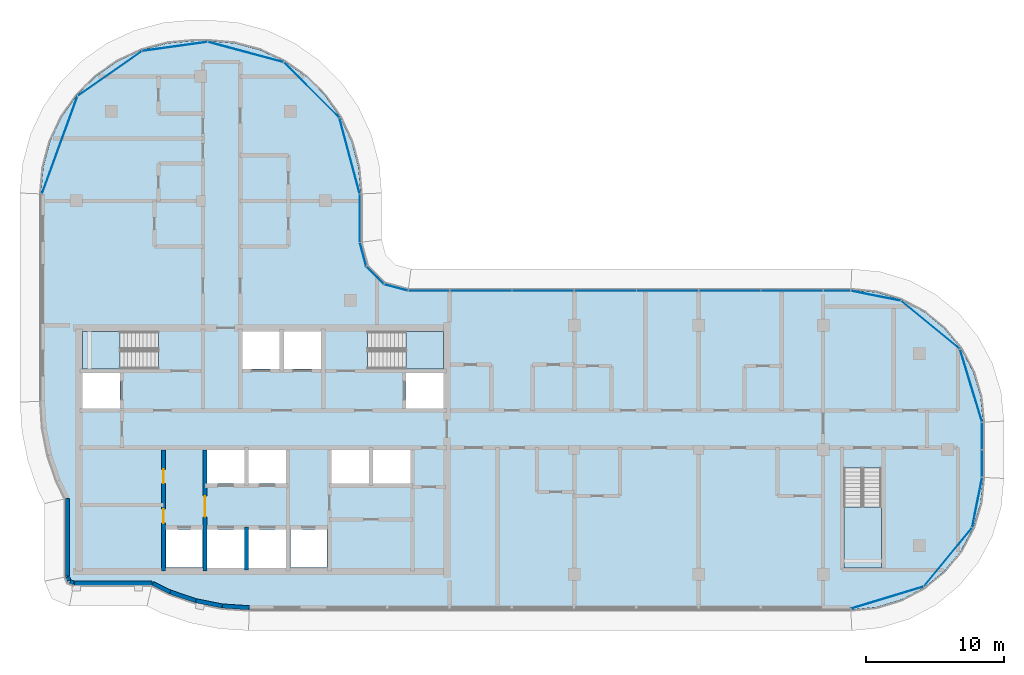
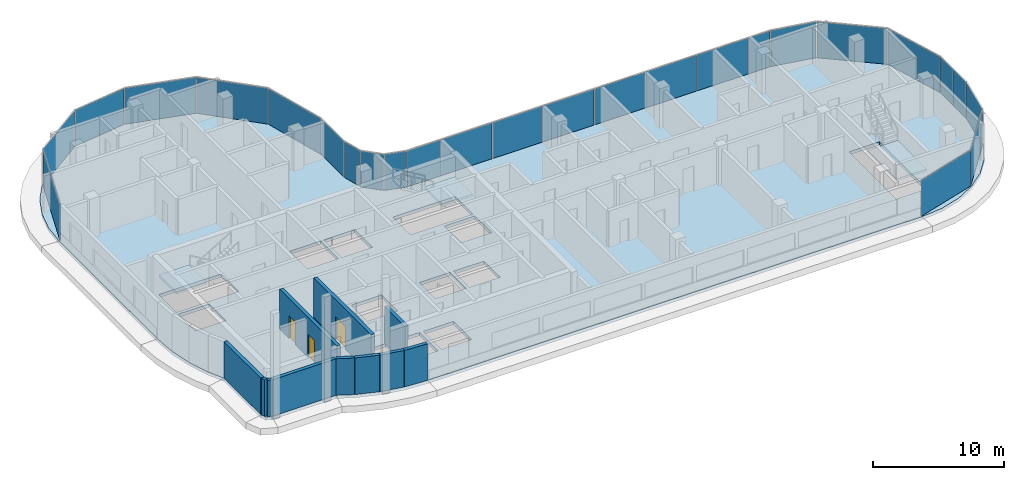
# One storey, part 8 of 20: 26 plates, 11 walls, 4 slabs, 3 doors, 3 openings, 10 elements without a shape of their own.
"""IFC4 building model written with IfcOpenShell, lengths in metres."""

from ifc_helpers import new_model, si_unit, direction, frame, frame_2d, origin, origin_2d, place, context, subcontext, project, spatial, polyline, rectangle, outline, extrude, material, layer, layer_set, type_object, element, fill, aggregate, save


model = new_model("IFC4")

# Units and contexts
model_context = context("Model", 3, precision=1e-05, world=origin(), true_north=direction((0.0, 1.0)))
body_context = subcontext(model_context, "Body", "Model", "MODEL_VIEW")
ifc_project = project(units=[si_unit("LENGTHUNIT", "METRE"), si_unit("AREAUNIT", "SQUARE_METRE"), si_unit("VOLUMEUNIT", "CUBIC_METRE"), si_unit("PLANEANGLEUNIT", "RADIAN"), si_unit("MASSUNIT", "GRAM", prefix="KILO")], contexts=[model_context])

# Site, building, storey
site_placement = place(None, origin())
site = spatial("IfcSite", under=ifc_project, at=site_placement, CompositionType="ELEMENT")
building_placement = place(site_placement, origin())
building = spatial("IfcBuilding", under=site, at=building_placement, Name="Ogive Portal Towers", CompositionType="ELEMENT")
storey_placement = place(building_placement, frame((0.0, 0.0, 232.800048828125)))
storey = spatial("IfcBuildingStorey", under=building, at=storey_placement, Name="L58", CompositionType="ELEMENT", Elevation=232.800048828125)

# Curtain wall, plates
ifc_material_1 = material(Name="Glass, clear low-iron insulated glazing", Category="glass")
curtain_wall_type = type_object("IfcCurtainWallType", Name="CW FRONT RIBBON 4500", PredefinedType="NOTDEFINED", material=ifc_material_1)
curtain_wall_1_placement = place(storey_placement, origin())
curtain_wall_1 = element("IfcCurtainWall", 1, at=curtain_wall_1_placement, inside=storey, type_object=curtain_wall_type, Name="A:L58:f12:cw0", PredefinedType="NOTDEFINED")
ifc_layer_1 = layer(ifc_material_1, 0.028076171875)
ifc_layer_set_1 = layer_set([ifc_layer_1], Name="CW PANEL IGU 28")
plate_type = type_object("IfcPlateType", Name="CW PANEL IGU 28", PredefinedType="CURTAIN_PANEL", material=ifc_layer_set_1)
plate_1_placement = place(storey_placement, frame((96.9951171875, 29.50390625, 0.0), z_axis=(0.0, 0.0, 1.0), x_axis=(0.0, 1.0, 0.0)))
plate_1 = element("IfcPlate", 2, at=plate_1_placement, type_object=plate_type, Name="panel", PredefinedType="CURTAIN_PANEL", context=body_context, shape_type="SweptSolid", body=[
    extrude(rectangle(XDim=1.93212890625, YDim=0.028076171875, at=origin_2d()), origin(), (0.0, 0.0, 1.0), 3.340087890625),
])
plate_2_placement = place(storey_placement, frame((96.9951171875, 31.494140625, 0.0), z_axis=(0.0, 0.0, 1.0), x_axis=(0.0, 1.0, 0.0)))
plate_2 = element("IfcPlate", 3, at=plate_2_placement, type_object=plate_type, Name="panel", PredefinedType="CURTAIN_PANEL", context=body_context, shape_type="SweptSolid", body=[
    extrude(rectangle(XDim=1.92822265625, YDim=0.028076171875, at=origin_2d()), origin(), (0.0, 0.0, 1.0), 3.340087890625),
])
aggregate(curtain_wall_1, [plate_1, plate_2])

curtain_wall_2_placement = place(storey_placement, origin())
curtain_wall_2 = element("IfcCurtainWall", 4, at=curtain_wall_2_placement, inside=storey, type_object=curtain_wall_type, Name="A:L58:f16:cw0", PredefinedType="NOTDEFINED")
plate_3_placement = place(storey_placement, frame((86.49609375, 41.9951171875, 0.0), z_axis=(0.0, 0.0, 1.0), x_axis=(-1.0, 0.0, 0.0)))
plate_3 = element("IfcPlate", 5, at=plate_3_placement, type_object=plate_type, Name="panel", PredefinedType="CURTAIN_PANEL", context=body_context, shape_type="SweptSolid", body=[
    extrude(rectangle(XDim=1.93212890625, YDim=0.028076171875, at=origin_2d()), origin(), (0.0, 0.0, 1.0), 3.340087890625),
])
plate_4_placement = place(storey_placement, frame((83.25, 41.9951171875, 0.0), z_axis=(0.0, 0.0, 1.0), x_axis=(-1.0, 0.0, 0.0)))
plate_4 = element("IfcPlate", 6, at=plate_4_placement, type_object=plate_type, Name="panel", PredefinedType="CURTAIN_PANEL", context=body_context, shape_type="SweptSolid", body=[
    extrude(rectangle(XDim=4.43994140625, YDim=0.028076171875, at=origin_2d()), origin(), (0.0, 0.0, 1.0), 3.340087890625),
])
plate_5_placement = place(storey_placement, frame((78.75, 41.9951171875, 0.0), z_axis=(0.0, 0.0, 1.0), x_axis=(-1.0, 0.0, 0.0)))
plate_5 = element("IfcPlate", 7, at=plate_5_placement, type_object=plate_type, Name="panel", PredefinedType="CURTAIN_PANEL", context=body_context, shape_type="SweptSolid", body=[
    extrude(rectangle(XDim=4.43994140625, YDim=0.028076171875, at=origin_2d()), origin(), (0.0, 0.0, 1.0), 3.340087890625),
])
plate_6_placement = place(storey_placement, frame((74.25, 41.9951171875, 0.0), z_axis=(0.0, 0.0, 1.0), x_axis=(-1.0, 0.0, 0.0)))
plate_6 = element("IfcPlate", 8, at=plate_6_placement, type_object=plate_type, Name="panel", PredefinedType="CURTAIN_PANEL", context=body_context, shape_type="SweptSolid", body=[
    extrude(rectangle(XDim=4.43994140625, YDim=0.028076171875, at=origin_2d()), origin(), (0.0, 0.0, 1.0), 3.340087890625),
])
plate_7_placement = place(storey_placement, frame((69.75, 41.9951171875, 0.0), z_axis=(0.0, 0.0, 1.0), x_axis=(-1.0, 0.0, 0.0)))
plate_7 = element("IfcPlate", 9, at=plate_7_placement, type_object=plate_type, Name="panel", PredefinedType="CURTAIN_PANEL", context=body_context, shape_type="SweptSolid", body=[
    extrude(rectangle(XDim=4.43994140625, YDim=0.028076171875, at=origin_2d()), origin(), (0.0, 0.0, 1.0), 3.340087890625),
])
plate_8_placement = place(storey_placement, frame((65.25, 41.9951171875, 0.0), z_axis=(0.0, 0.0, 1.0), x_axis=(-1.0, 0.0, 0.0)))
plate_8 = element("IfcPlate", 10, at=plate_8_placement, type_object=plate_type, Name="panel", PredefinedType="CURTAIN_PANEL", context=body_context, shape_type="SweptSolid", body=[
    extrude(rectangle(XDim=4.43994140625, YDim=0.028076171875, at=origin_2d()), origin(), (0.0, 0.0, 1.0), 3.340087890625),
])
plate_9_placement = place(storey_placement, frame((60.75, 41.9951171875, 0.0), z_axis=(0.0, 0.0, 1.0), x_axis=(-1.0, 0.0, 0.0)))
plate_9 = element("IfcPlate", 11, at=plate_9_placement, type_object=plate_type, Name="panel", PredefinedType="CURTAIN_PANEL", context=body_context, shape_type="SweptSolid", body=[
    extrude(rectangle(XDim=4.43994140625, YDim=0.028076171875, at=origin_2d()), origin(), (0.0, 0.0, 1.0), 3.340087890625),
])
plate_10_placement = place(storey_placement, frame((56.99462890625, 41.9951171875, 0.0), z_axis=(0.0, 0.0, 1.0), x_axis=(-1.0, 0.0, 0.0)))
plate_10 = element("IfcPlate", 12, at=plate_10_placement, type_object=plate_type, Name="panel", PredefinedType="CURTAIN_PANEL", context=body_context, shape_type="SweptSolid", body=[
    extrude(rectangle(XDim=2.950439453125, YDim=0.028076171875, at=origin_2d()), origin(), (0.0, 0.0, 1.0), 3.340087890625),
])
aggregate(curtain_wall_2, [plate_3, plate_4, plate_5, plate_6, plate_7, plate_8, plate_9, plate_10])

# Curtain wall, plate
curtain_wall_3_placement = place(storey_placement, origin())
curtain_wall_3 = element("IfcCurtainWall", 13, at=curtain_wall_3_placement, inside=storey, type_object=curtain_wall_type, Name="A:L58:f20:cw0", PredefinedType="NOTDEFINED")
plate_11_placement = place(storey_placement, frame((51.9951171875, 47.239501953125, 0.0), z_axis=(0.0, 0.0, 1.0), x_axis=(0.0, 1.0, 0.0)))
plate_11 = element("IfcPlate", 14, at=plate_11_placement, type_object=plate_type, Name="panel", PredefinedType="CURTAIN_PANEL", context=body_context, shape_type="SweptSolid", body=[
    extrude(rectangle(XDim=3.43994140625, YDim=0.028076171875, at=origin_2d()), origin(), (0.0, 0.0, 1.0), 3.340087890625),
])
aggregate(curtain_wall_3, [plate_11])

# Curtain wall, plates
curtain_wall_4_placement = place(storey_placement, origin())
curtain_wall_4 = element("IfcCurtainWall", 15, at=curtain_wall_4_placement, inside=storey, type_object=curtain_wall_type, Name="A:L58:f09:cwa", PredefinedType="NOTDEFINED")
plate_12_placement = place(storey_placement, frame((90.130615234375, 19.806640625, 0.0), z_axis=(0.0, 0.0, 1.0), x_axis=(0.956940335732, 0.290284677254, 0.0)))
plate_12 = element("IfcPlate", 16, at=plate_12_placement, type_object=plate_type, Name="panel", PredefinedType="CURTAIN_PANEL", context=body_context, shape_type="SweptSolid", body=[
    extrude(rectangle(XDim=5.462890625, YDim=0.028076171875, at=origin_2d()), origin(), (0.0, 0.0, 1.0), 3.340087890625),
])
plate_13_placement = place(storey_placement, frame((94.5224609375, 22.73974609375, 0.0), z_axis=(0.0, 0.0, 1.0), x_axis=(0.634393284164, 0.773010453363, 0.0)))
plate_13 = element("IfcPlate", 17, at=plate_13_placement, type_object=plate_type, Name="panel", PredefinedType="CURTAIN_PANEL", context=body_context, shape_type="SweptSolid", body=[
    extrude(rectangle(XDim=5.45458984375, YDim=0.028076171875, at=origin_2d()), origin(), (0.0, 0.0, 1.0), 3.340087890625),
])
plate_14_placement = place(storey_placement, frame((96.63330078125, 26.689453125, 0.0), z_axis=(0.0, 0.0, 1.0), x_axis=(0.195090322016, 0.980785280403, 0.0)))
plate_14 = element("IfcPlate", 18, at=plate_14_placement, type_object=plate_type, Name="panel", PredefinedType="CURTAIN_PANEL", context=body_context, shape_type="SweptSolid", body=[
    extrude(rectangle(XDim=3.64794921875, YDim=0.028076171875, at=origin_2d()), origin(), (0.0, 0.0, 1.0), 3.340087890625),
])
aggregate(curtain_wall_4, [plate_12, plate_13, plate_14])

curtain_wall_5_placement = place(storey_placement, origin())
curtain_wall_5 = element("IfcCurtainWall", 19, at=curtain_wall_5_placement, inside=storey, type_object=curtain_wall_type, Name="A:L58:f13:cwa", PredefinedType="NOTDEFINED")
plate_15_placement = place(storey_placement, frame((96.193359375, 35.130615234375, 0.0), z_axis=(0.0, 0.0, 1.0), x_axis=(-0.290284677254, 0.956940335732, 0.0)))
plate_15 = element("IfcPlate", 20, at=plate_15_placement, type_object=plate_type, Name="panel", PredefinedType="CURTAIN_PANEL", context=body_context, shape_type="SweptSolid", body=[
    extrude(rectangle(XDim=5.462890625, YDim=0.028076171875, at=origin_2d()), origin(), (0.0, 0.0, 1.0), 3.340087890625),
])
plate_16_placement = place(storey_placement, frame((93.26025390625, 39.5224609375, 0.0), z_axis=(0.0, 0.0, 1.0), x_axis=(-0.773010453363, 0.634393284164, 0.0)))
plate_16 = element("IfcPlate", 21, at=plate_16_placement, type_object=plate_type, Name="panel", PredefinedType="CURTAIN_PANEL", context=body_context, shape_type="SweptSolid", body=[
    extrude(rectangle(XDim=5.45458984375, YDim=0.028076171875, at=origin_2d()), origin(), (0.0, 0.0, 1.0), 3.340087890625),
])
plate_17_placement = place(storey_placement, frame((89.310546875, 41.63330078125, 0.0), z_axis=(0.0, 0.0, 1.0), x_axis=(-0.980785280403, 0.195090322016, 0.0)))
plate_17 = element("IfcPlate", 22, at=plate_17_placement, type_object=plate_type, Name="panel", PredefinedType="CURTAIN_PANEL", context=body_context, shape_type="SweptSolid", body=[
    extrude(rectangle(XDim=3.64794921875, YDim=0.028076171875, at=origin_2d()), origin(), (0.0, 0.0, 1.0), 3.340087890625),
])
aggregate(curtain_wall_5, [plate_15, plate_16, plate_17])

curtain_wall_6_placement = place(storey_placement, origin())
curtain_wall_6 = element("IfcCurtainWall", 23, at=curtain_wall_6_placement, inside=storey, type_object=curtain_wall_type, Name="A:L58:f17:cwa", PredefinedType="NOTDEFINED")
plate_18_placement = place(storey_placement, frame((54.61767578125, 42.228515625, 0.0), z_axis=(0.0, 0.0, 1.0), x_axis=(-0.965925826289, 0.258819045103, 0.0)))
plate_18 = element("IfcPlate", 24, at=plate_18_placement, type_object=plate_type, Name="panel", PredefinedType="CURTAIN_PANEL", context=body_context, shape_type="SweptSolid", body=[
    extrude(rectangle(XDim=1.744873046875, YDim=0.028076171875, at=origin_2d()), origin(), (0.0, 0.0, 1.0), 3.340087890625),
])
plate_19_placement = place(storey_placement, frame((53.10400390625, 43.10400390625, 0.0), z_axis=(0.0, 0.0, 1.0), x_axis=(-0.707106781187, 0.707106781187, 0.0)))
plate_19 = element("IfcPlate", 25, at=plate_19_placement, type_object=plate_type, Name="panel", PredefinedType="CURTAIN_PANEL", context=body_context, shape_type="SweptSolid", body=[
    extrude(rectangle(XDim=1.755859375, YDim=0.028076171875, at=origin_2d()), origin(), (0.0, 0.0, 1.0), 3.340087890625),
])
plate_20_placement = place(storey_placement, frame((52.228515625, 44.61767578125, 0.0), z_axis=(0.0, 0.0, 1.0), x_axis=(-0.258819045103, 0.965925826289, 0.0)))
plate_20 = element("IfcPlate", 26, at=plate_20_placement, type_object=plate_type, Name="panel", PredefinedType="CURTAIN_PANEL", context=body_context, shape_type="SweptSolid", body=[
    extrude(rectangle(XDim=1.744873046875, YDim=0.028076171875, at=origin_2d()), origin(), (0.0, 0.0, 1.0), 3.340087890625),
])
aggregate(curtain_wall_6, [plate_18, plate_19, plate_20])

curtain_wall_7_placement = place(storey_placement, origin())
curtain_wall_7 = element("IfcCurtainWall", 27, at=curtain_wall_7_placement, inside=storey, type_object=curtain_wall_type, Name="A:L58:f21:cwa", PredefinedType="NOTDEFINED")
plate_21_placement = place(storey_placement, frame((51.25732421875, 51.74267578125, 0.0), z_axis=(0.0, 0.0, 1.0), x_axis=(-0.258819045103, 0.965925826289, 0.0)))
plate_21 = element("IfcPlate", 28, at=plate_21_placement, type_object=plate_type, Name="panel", PredefinedType="CURTAIN_PANEL", context=body_context, shape_type="SweptSolid", body=[
    extrude(rectangle(XDim=5.640869140625, YDim=0.028076171875, at=origin_2d()), origin(), (0.0, 0.0, 1.0), 3.340087890625),
])
plate_22_placement = place(storey_placement, frame((48.5078125, 56.5078125, 0.0), z_axis=(0.0, 0.0, 1.0), x_axis=(-0.707106781187, 0.707106781187, 0.0)))
plate_22 = element("IfcPlate", 29, at=plate_22_placement, type_object=plate_type, Name="panel", PredefinedType="CURTAIN_PANEL", context=body_context, shape_type="SweptSolid", body=[
    extrude(rectangle(XDim=5.6298828125, YDim=0.028076171875, at=origin_2d()), origin(), (0.0, 0.0, 1.0), 3.340087890625),
])
plate_23_placement = place(storey_placement, frame((43.74560546875, 59.256591796875, 0.0), z_axis=(0.0, 0.0, 1.0), x_axis=(-0.965925826289, 0.258819045103, 0.0)))
plate_23 = element("IfcPlate", 30, at=plate_23_placement, type_object=plate_type, Name="panel", PredefinedType="CURTAIN_PANEL", context=body_context, shape_type="SweptSolid", body=[
    extrude(rectangle(XDim=5.63525390625, YDim=0.028076171875, at=origin_2d()), origin(), (0.0, 0.0, 1.0), 3.340087890625),
])
plate_24_placement = place(storey_placement, frame((38.61865234375, 59.662109375, 0.0), z_axis=(0.0, 0.0, 1.0), x_axis=(-0.990409738761, -0.138161316467, 0.0)))
plate_24 = element("IfcPlate", 31, at=plate_24_placement, type_object=plate_type, Name="panel", PredefinedType="CURTAIN_PANEL", context=body_context, shape_type="SweptSolid", body=[
    extrude(rectangle(XDim=4.73876953125, YDim=0.028076171875, at=origin_2d()), origin(), (0.0, 0.0, 1.0), 3.340087890625),
])
plate_25_placement = place(storey_placement, frame((33.912353515625, 57.69921875, 0.0), z_axis=(0.0, 0.0, 1.0), x_axis=(-0.819152044289, -0.573576436351, 0.0)))
plate_25 = element("IfcPlate", 32, at=plate_25_placement, type_object=plate_type, Name="panel", PredefinedType="CURTAIN_PANEL", context=body_context, shape_type="SweptSolid", body=[
    extrude(rectangle(XDim=5.62841796875, YDim=0.028076171875, at=origin_2d()), origin(), (0.0, 0.0, 1.0), 3.340087890625),
])
plate_26_placement = place(storey_placement, frame((30.293701171875, 52.52685546875, 0.0), z_axis=(0.0, 0.0, 1.0), x_axis=(-0.342020143326, -0.939692620786, 0.0)))
plate_26 = element("IfcPlate", 33, at=plate_26_placement, type_object=plate_type, Name="panel", PredefinedType="CURTAIN_PANEL", context=body_context, shape_type="SweptSolid", body=[
    extrude(rectangle(XDim=7.476318359375, YDim=0.028076171875, at=origin_2d()), origin(), (0.0, 0.0, 1.0), 3.340087890625),
])
aggregate(curtain_wall_7, [plate_21, plate_22, plate_23, plate_24, plate_25, plate_26])

# Stair, slab
ifc_material_2 = material(Name="Concrete C40/50", Category="concrete")
stair_type = type_object("IfcStairType", Name="INT-STAIR", PredefinedType="HALF_TURN_STAIR", material=ifc_material_2)
stair_1_placement = place(storey_placement, origin())
stair_1 = element("IfcStair", 34, at=stair_1_placement, inside=storey, type_object=stair_type, Name="L58 Exit Stair ST-A1", PredefinedType="HALF_TURN_STAIR")
ifc_layer_2 = layer(ifc_material_2, 0.199951171875)
ifc_layer_set_2 = layer_set([ifc_layer_2], Name="INT-LANDING")
slab_type_1 = type_object("IfcSlabType", Name="INT-LANDING", PredefinedType="LANDING", material=ifc_layer_set_2)
slab_1_placement = place(storey_placement, frame((0.0, 0.0, 1.64990234375)))
slab_1 = element("IfcSlab", 35, at=slab_1_placement, type_object=slab_type_1, Name="ST-A1 landing 1", PredefinedType="LANDING", context=body_context, shape_type="SweptSolid", body=[
    extrude(outline(polyline([(34.64990234375, 39.050048828125), (31.949951171875, 39.050048828125), (31.949951171875, 36.35009765625), (34.64990234375, 36.35009765625), (34.64990234375, 39.050048828125)])), origin(), (0.0, 0.0, 1.0), 0.199951171875),
])
aggregate(stair_1, [slab_1])

stair_2_placement = place(storey_placement, origin())
stair_2 = element("IfcStair", 36, at=stair_2_placement, inside=storey, type_object=stair_type, Name="L58 Exit Stair ST-A2", PredefinedType="HALF_TURN_STAIR")
slab_2_placement = place(storey_placement, frame((0.0, 0.0, 1.64990234375)))
slab_2 = element("IfcSlab", 37, at=slab_2_placement, type_object=slab_type_1, Name="ST-A2 landing 1", PredefinedType="LANDING", context=body_context, shape_type="SweptSolid", body=[
    extrude(outline(polyline([(55.35009765625, 36.35009765625), (58.050048828125, 36.35009765625), (58.050048828125, 39.050048828125), (55.35009765625, 39.050048828125), (55.35009765625, 36.35009765625)])), origin(), (0.0, 0.0, 1.0), 0.199951171875),
])
aggregate(stair_2, [slab_2])

stair_3_placement = place(storey_placement, origin())
stair_3 = element("IfcStair", 38, at=stair_3_placement, inside=storey, type_object=stair_type, Name="L58 Exit Stair ST-A4", PredefinedType="HALF_TURN_STAIR")
slab_3_placement = place(storey_placement, frame((0.0, 0.0, 1.64990234375)))
slab_3 = element("IfcSlab", 39, at=slab_3_placement, type_object=slab_type_1, Name="ST-A4 landing 1", PredefinedType="LANDING", context=body_context, shape_type="SweptSolid", body=[
    extrude(outline(polyline([(87.0, 26.3701171875), (87.0, 21.949951171875), (89.699951171875, 21.949951171875), (89.699951171875, 26.3701171875), (87.0, 26.3701171875)])), origin(), (0.0, 0.0, 1.0), 0.199951171875),
])
aggregate(stair_3, [slab_3])

# Slab
ifc_material_3 = material(Name="Concrete C45/55", Category="concrete")
ifc_layer_3 = layer(ifc_material_3, 0.300048828125)
ifc_layer_set_3 = layer_set([ifc_layer_3], Name="PT FLAT PLATE 300")
slab_type_2 = type_object("IfcSlabType", Name="PT FLAT PLATE 300", PredefinedType="FLOOR", material=ifc_layer_set_3)
slab_4_placement = place(storey_placement, frame((0.0, 0.0, -0.300048828125)))
element("IfcSlab", 40, at=slab_4_placement, inside=storey, type_object=slab_type_2, Name="Floor slab L58", PredefinedType="FLOOR", context=body_context, shape_type="SweptSolid", body=[
    extrude(outline(polyline([(29.438720703125, 30.098388671875), (30.072509765625, 28.23095703125), (30.699951171875, 26.95849609375), (30.699951171875, 21.300048828125), (30.875732421875, 20.875732421875), (31.300048828125, 20.699951171875), (36.95849609375, 20.699951171875), (38.23095703125, 20.072509765625), (40.098388671875, 19.438720703125), (42.0322265625, 19.053955078125), (44.0, 18.925048828125), (87.5, 18.925048828125), (89.367919921875, 19.10888671875), (91.164306640625, 19.65380859375), (92.819580078125, 20.538818359375), (94.2705078125, 21.7294921875), (95.461181640625, 23.180419921875), (96.34619140625, 24.835693359375), (96.89111328125, 26.632080078125), (97.074951171875, 28.5), (97.074951171875, 32.5), (96.89111328125, 34.367919921875), (96.34619140625, 36.164306640625), (95.461181640625, 37.819580078125), (94.2705078125, 39.2705078125), (92.819580078125, 40.461181640625), (91.164306640625, 41.34619140625), (89.367919921875, 41.89111328125), (87.5, 42.074951171875), (55.5, 42.074951171875), (53.78759765625, 42.533935546875), (52.533935546875, 43.78759765625), (52.074951171875, 45.5), (52.074951171875, 49.0), (51.90673828125, 50.923095703125), (51.406982421875, 52.787841796875), (50.59130859375, 54.53759765625), (49.48388671875, 56.118896484375), (48.118896484375, 57.48388671875), (46.53759765625, 58.59130859375), (44.787841796875, 59.406982421875), (42.923095703125, 59.90673828125), (41.0, 60.074951171875), (40.0, 60.074951171875), (38.076904296875, 59.90673828125), (36.212158203125, 59.406982421875), (34.46240234375, 58.59130859375), (32.881103515625, 57.48388671875), (31.51611328125, 56.118896484375), (30.40869140625, 54.53759765625), (29.593017578125, 52.787841796875), (29.09326171875, 50.923095703125), (28.925048828125, 49.0), (28.925048828125, 34.0), (29.053955078125, 32.0322265625), (29.438720703125, 30.098388671875)]), holes=[polyline([(40.6298828125, 24.72998046875), (40.6298828125, 21.969970703125), (37.969970703125, 21.969970703125), (37.969970703125, 24.72998046875), (40.6298828125, 24.72998046875)]), polyline([(43.64990234375, 24.75), (43.64990234375, 21.949951171875), (40.949951171875, 21.949951171875), (40.949951171875, 24.75), (43.64990234375, 24.75)]), polyline([(46.64990234375, 24.75), (46.64990234375, 21.949951171875), (43.949951171875, 21.949951171875), (43.949951171875, 24.75), (46.64990234375, 24.75)]), polyline([(43.64990234375, 30.5), (43.64990234375, 28.050048828125), (40.949951171875, 28.050048828125), (40.949951171875, 30.5), (43.64990234375, 30.5)]), polyline([(46.64990234375, 30.5), (46.64990234375, 28.050048828125), (43.949951171875, 28.050048828125), (43.949951171875, 30.5), (46.64990234375, 30.5)]), polyline([(34.64990234375, 36.050048828125), (34.64990234375, 33.5), (31.949951171875, 33.5), (31.949951171875, 36.050048828125), (34.64990234375, 36.050048828125)]), polyline([(31.951904296875, 39.048095703125), (37.447998046875, 39.048095703125), (37.447998046875, 36.35205078125), (31.951904296875, 36.35205078125), (31.951904296875, 39.048095703125)]), polyline([(46.199951171875, 39.050048828125), (46.199951171875, 36.35009765625), (43.5, 36.35009765625), (43.5, 39.050048828125), (46.199951171875, 39.050048828125)]), polyline([(49.6298828125, 21.969970703125), (46.969970703125, 21.969970703125), (46.969970703125, 24.72998046875), (49.6298828125, 24.72998046875), (49.6298828125, 21.969970703125)]), polyline([(87.001953125, 21.951904296875), (87.001953125, 29.16796875), (89.697998046875, 29.16796875), (89.697998046875, 21.951904296875), (87.001953125, 21.951904296875)]), polyline([(52.64990234375, 30.5), (52.64990234375, 28.050048828125), (49.949951171875, 28.050048828125), (49.949951171875, 30.5), (52.64990234375, 30.5)]), polyline([(55.64990234375, 30.5), (55.64990234375, 28.050048828125), (52.949951171875, 28.050048828125), (52.949951171875, 30.5), (55.64990234375, 30.5)]), polyline([(58.050048828125, 36.050048828125), (58.050048828125, 33.5), (55.35009765625, 33.5), (55.35009765625, 36.050048828125), (58.050048828125, 36.050048828125)]), polyline([(49.199951171875, 39.050048828125), (49.199951171875, 36.35009765625), (46.5, 36.35009765625), (46.5, 39.050048828125), (49.199951171875, 39.050048828125)]), polyline([(58.048095703125, 36.35205078125), (52.552001953125, 36.35205078125), (52.552001953125, 39.048095703125), (58.048095703125, 39.048095703125), (58.048095703125, 36.35205078125)])]), origin(), (0.0, 0.0, 1.0), 0.300048828125),
])

# Wall, openings, doors
ifc_material_4 = material(Name="Concrete C60/75", Category="concrete")
ifc_layer_4 = layer(ifc_material_4, 0.300048828125)
ifc_layer_set_4 = layer_set([ifc_layer_4], Name="CORE WALL 300 C60")
wall_type_1 = type_object("IfcWallType", Name="CORE WALL 300 C60", PredefinedType="SHEAR", material=ifc_layer_set_4)
wall_1_placement = place(storey_placement, frame((37.800048828125, 21.75, 0.0), z_axis=(0.0, 0.0, 1.0), x_axis=(0.0, 1.0, 0.0)))
wall_1 = element("IfcWall", 41, at=wall_1_placement, inside=storey, type_object=wall_type_1, Name="Core wall X1 L58", PredefinedType="SHEAR", context=body_context, shape_type="SweptSolid", body=[
    extrude(rectangle(XDim=8.75, YDim=0.300048828125, at=frame_2d((4.375, 0.0))), origin(), (0.0, 0.0, 1.0), 3.699951171875),
])
opening_1_placement = place(wall_1_placement, frame((6.324951171875, 0.0, 0.0)))
opening_1 = element("IfcOpeningElement", 42, at=opening_1_placement, cuts=wall_1, Name="Opening D26-021", PredefinedType="OPENING", context=body_context, shape_type="SweptSolid", body=[
    extrude(rectangle(XDim=1.0, YDim=2.10009765625, at=frame_2d((0.5, 1.050048828125))), frame((0.0, 0.16015625, 0.0), z_axis=(0.0, -1.0, 0.0), x_axis=(1.0, 0.0, 0.0)), (0.0, 0.0, 1.0), 0.320068359375),
])
opening_2_placement = place(wall_1_placement, frame((3.449951171875, 0.0, 0.0)))
opening_2 = element("IfcOpeningElement", 43, at=opening_2_placement, cuts=wall_1, Name="Opening D26-022", PredefinedType="OPENING", context=body_context, shape_type="SweptSolid", body=[
    extrude(rectangle(XDim=1.0, YDim=2.10009765625, at=frame_2d((0.5, 1.050048828125))), frame((0.0, 0.16015625, 0.0), z_axis=(0.0, -1.0, 0.0), x_axis=(1.0, 0.0, 0.0)), (0.0, 0.0, 1.0), 0.320068359375),
])
ifc_material_5 = material(Name="Steel fire door", Category="steel")
door_type_1 = type_object("IfcDoorType", Name="DT-SWING-1000x2100-FD90S", OperationType="SINGLE_SWING_LEFT", PredefinedType="DOOR", material=ifc_material_5)
door_1_placement = place(opening_1_placement, origin())
door_1 = element("IfcDoor", 44, at=door_1_placement, inside=storey, type_object=door_type_1, Name="Door D26-021", OperationType="SINGLE_SWING_LEFT", OverallHeight=2.10009765625, OverallWidth=1.0, PredefinedType="DOOR", context=body_context, shape_type="SweptSolid", body=[
    extrude(rectangle(XDim=1.0, YDim=2.10009765625, at=frame_2d((0.5, 1.050048828125))), frame((0.0, 0.02490234375, 0.0), z_axis=(0.0, -1.0, 0.0), x_axis=(1.0, 0.0, 0.0)), (0.0, 0.0, 1.0), 0.050048828125),
])
fill(opening_1, door_1)
door_2_placement = place(opening_2_placement, origin())
door_2 = element("IfcDoor", 45, at=door_2_placement, inside=storey, type_object=door_type_1, Name="Door D26-022", OperationType="SINGLE_SWING_RIGHT", OverallHeight=2.10009765625, OverallWidth=1.0, PredefinedType="DOOR", context=body_context, shape_type="SweptSolid", body=[
    extrude(rectangle(XDim=1.0, YDim=2.10009765625, at=frame_2d((0.5, 1.050048828125))), frame((0.0, 0.02490234375, 0.0), z_axis=(0.0, -1.0, 0.0), x_axis=(1.0, 0.0, 0.0)), (0.0, 0.0, 1.0), 0.050048828125),
])
fill(opening_2, door_2)

# Wall, opening, door
wall_2_placement = place(storey_placement, frame((40.800048828125, 21.75, 0.0), z_axis=(0.0, 0.0, 1.0), x_axis=(0.0, 1.0, 0.0)))
wall_2 = element("IfcWall", 46, at=wall_2_placement, inside=storey, type_object=wall_type_1, Name="Core wall X2 L58", PredefinedType="SHEAR", context=body_context, shape_type="SweptSolid", body=[
    extrude(rectangle(XDim=8.75, YDim=0.300048828125, at=frame_2d((4.375, 0.0))), origin(), (0.0, 0.0, 1.0), 3.699951171875),
])
opening_3_placement = place(wall_2_placement, frame((3.89990234375, 0.0, 0.0)))
opening_3 = element("IfcOpeningElement", 47, at=opening_3_placement, cuts=wall_2, Name="Opening D26-001", PredefinedType="OPENING", context=body_context, shape_type="SweptSolid", body=[
    extrude(rectangle(XDim=1.5, YDim=2.10009765625, at=frame_2d((0.75, 1.050048828125))), frame((0.0, 0.16015625, 0.0), z_axis=(0.0, -1.0, 0.0), x_axis=(1.0, 0.0, 0.0)), (0.0, 0.0, 1.0), 0.320068359375),
])
door_type_2 = type_object("IfcDoorType", Name="DT-SWING-1500x2100-FD90S", OperationType="SINGLE_SWING_LEFT", PredefinedType="DOOR", material=ifc_material_5)
door_3_placement = place(opening_3_placement, origin())
door_3 = element("IfcDoor", 48, at=door_3_placement, inside=storey, type_object=door_type_2, Name="Door D26-001", OperationType="SINGLE_SWING_RIGHT", OverallHeight=2.10009765625, OverallWidth=1.5, PredefinedType="DOOR", context=body_context, shape_type="SweptSolid", body=[
    extrude(rectangle(XDim=1.5, YDim=2.10009765625, at=frame_2d((0.75, 1.050048828125))), frame((0.0, 0.02490234375, 0.0), z_axis=(0.0, -1.0, 0.0), x_axis=(1.0, 0.0, 0.0)), (0.0, 0.0, 1.0), 0.050048828125),
])
fill(opening_3, door_3)

# Walls
ifc_material_6 = material(Name="Limestone cladding on lightweight block wall", Category="masonry")
ifc_layer_5 = layer(ifc_material_6, 0.300048828125)
ifc_layer_set_5 = layer_set([ifc_layer_5], Name="EXTERNAL WALL 300 STONE")
wall_type_2 = type_object("IfcWallType", Name="EXTERNAL WALL 300 STONE", PredefinedType="SOLIDWALL", material=ifc_layer_set_5)
wall_3_placement = place(storey_placement, frame((30.85009765625, 26.958740234375, 0.0), z_axis=(0.0, 0.0, 1.0), x_axis=(0.0, -1.0, 0.0)))
element("IfcWall", 49, at=wall_3_placement, inside=storey, type_object=wall_type_2, Name="A:L58:f00:r0:wall", PredefinedType="SOLIDWALL", context=body_context, shape_type="SweptSolid", body=[
    extrude(rectangle(XDim=5.59912109375, YDim=0.300048828125, at=frame_2d((2.799560546875, 0.0))), origin(), (0.0, 0.0, 1.0), 3.39990234375),
])
for number, where, z_axis, x_axis, name in (
    (50, (30.861328125, 21.30224609375, 0.0), (0.0, 0.0, 1.0), (0.38297812142, -0.923757413239, 0.0), "A:L58:f01:r0:wall"),
    (51, (31.0478515625, 20.966796875, 0.0), (0.0, 0.0, 1.0), (0.923757413239, -0.38297812142, 0.0), "A:L58:f02:r0:wall"),
):
    element("IfcWall", number, at=place(storey_placement, frame(where, z_axis=z_axis, x_axis=x_axis)), inside=storey, type_object=wall_type_2, Name=name, PredefinedType="SOLIDWALL", context=body_context, shape_type="SweptSolid", body=[
        extrude(rectangle(XDim=0.275390625, YDim=0.300048828125, at=frame_2d((0.1376953125, 0.0))), origin(), (0.0, 0.0, 1.0), 3.39990234375),
    ])
wall_4_placement = place(storey_placement, frame((31.359619140625, 20.85009765625, 0.0), z_axis=(0.0, 0.0, 1.0), x_axis=(1.0, 0.0, 0.0)))
element("IfcWall", 52, at=wall_4_placement, inside=storey, type_object=wall_type_2, Name="A:L58:f03:r0:wall", PredefinedType="SOLIDWALL", context=body_context, shape_type="SweptSolid", body=[
    extrude(rectangle(XDim=5.59912109375, YDim=0.300048828125, at=frame_2d((2.799560546875, 0.0))), origin(), (0.0, 0.0, 1.0), 3.39990234375),
])
wall_5_placement = place(storey_placement, frame((37.02490234375, 20.83447265625, 0.0), z_axis=(0.0, 0.0, 1.0), x_axis=(0.896925860522, -0.442180959254, 0.0)))
element("IfcWall", 53, at=wall_5_placement, inside=storey, type_object=wall_type_2, Name="A:L58:f04:r0:wall", PredefinedType="SOLIDWALL", context=body_context, shape_type="SweptSolid", body=[
    extrude(rectangle(XDim=1.399169921875, YDim=0.300048828125, at=frame_2d((0.69970703125, 0.0))), origin(), (0.0, 0.0, 1.0), 3.39990234375),
])
wall_6_placement = place(storey_placement, frame((38.2978515625, 20.208251953125, 0.0), z_axis=(0.0, 0.0, 1.0), x_axis=(0.946912791905, -0.321490535672, 0.0)))
element("IfcWall", 54, at=wall_6_placement, inside=storey, type_object=wall_type_2, Name="A:L58:f05:r0:wall", PredefinedType="SOLIDWALL", context=body_context, shape_type="SweptSolid", body=[
    extrude(rectangle(XDim=1.9326171875, YDim=0.300048828125, at=frame_2d((0.96630859375, 0.0))), origin(), (0.0, 0.0, 1.0), 3.39990234375),
])
wall_7_placement = place(storey_placement, frame((40.14697265625, 19.58203125, 0.0), z_axis=(0.0, 0.0, 1.0), x_axis=(0.980764889473, -0.195192806162, 0.0)))
element("IfcWall", 55, at=wall_7_placement, inside=storey, type_object=wall_type_2, Name="A:L58:f06:r0:wall", PredefinedType="SOLIDWALL", context=body_context, shape_type="SweptSolid", body=[
    extrude(rectangle(XDim=1.932373046875, YDim=0.300048828125, at=frame_2d((0.96630859375, 0.0))), origin(), (0.0, 0.0, 1.0), 3.39990234375),
])
wall_8_placement = place(storey_placement, frame((42.061767578125, 19.202392578125, 0.0), z_axis=(0.0, 0.0, 1.0), x_axis=(0.997861789646, -0.065359381612, 0.0)))
element("IfcWall", 56, at=wall_8_placement, inside=storey, type_object=wall_type_2, Name="A:L58:f07:r0:wall", PredefinedType="SOLIDWALL", context=body_context, shape_type="SweptSolid", body=[
    extrude(rectangle(XDim=1.9423828125, YDim=0.300048828125, at=frame_2d((0.97119140625, 0.0))), origin(), (0.0, 0.0, 1.0), 3.39990234375),
])
ifc_layer_6 = layer(ifc_material_2, 0.300048828125)
ifc_layer_set_6 = layer_set([ifc_layer_6], Name="WT-SHAFT-300")
wall_type_3 = type_object("IfcWallType", Name="WT-SHAFT-300", PredefinedType="SOLIDWALL", material=ifc_layer_set_6)
wall_9_placement = place(storey_placement, frame((43.800048828125, 21.800048828125, 0.0), z_axis=(0.0, 0.0, 1.0), x_axis=(0.0, 1.0, 0.0)))
element("IfcWall", 57, at=wall_9_placement, inside=storey, type_object=wall_type_3, Name="Wall pw:008:L58", PredefinedType="SOLIDWALL", context=body_context, shape_type="SweptSolid", body=[
    extrude(rectangle(XDim=3.099853515625, YDim=0.300048828125, at=frame_2d((1.5498046875, 0.0))), origin(), (0.0, 0.0, 1.0), 3.39990234375),
])

save(model, "model.ifc")
